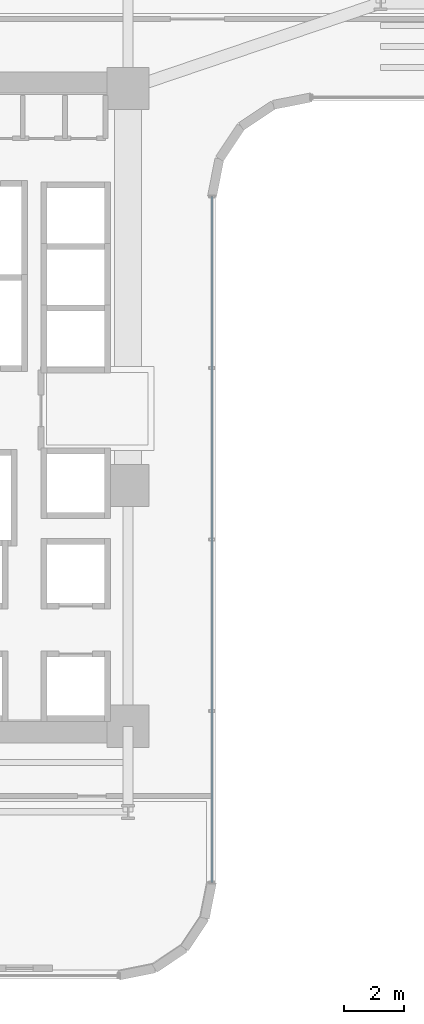
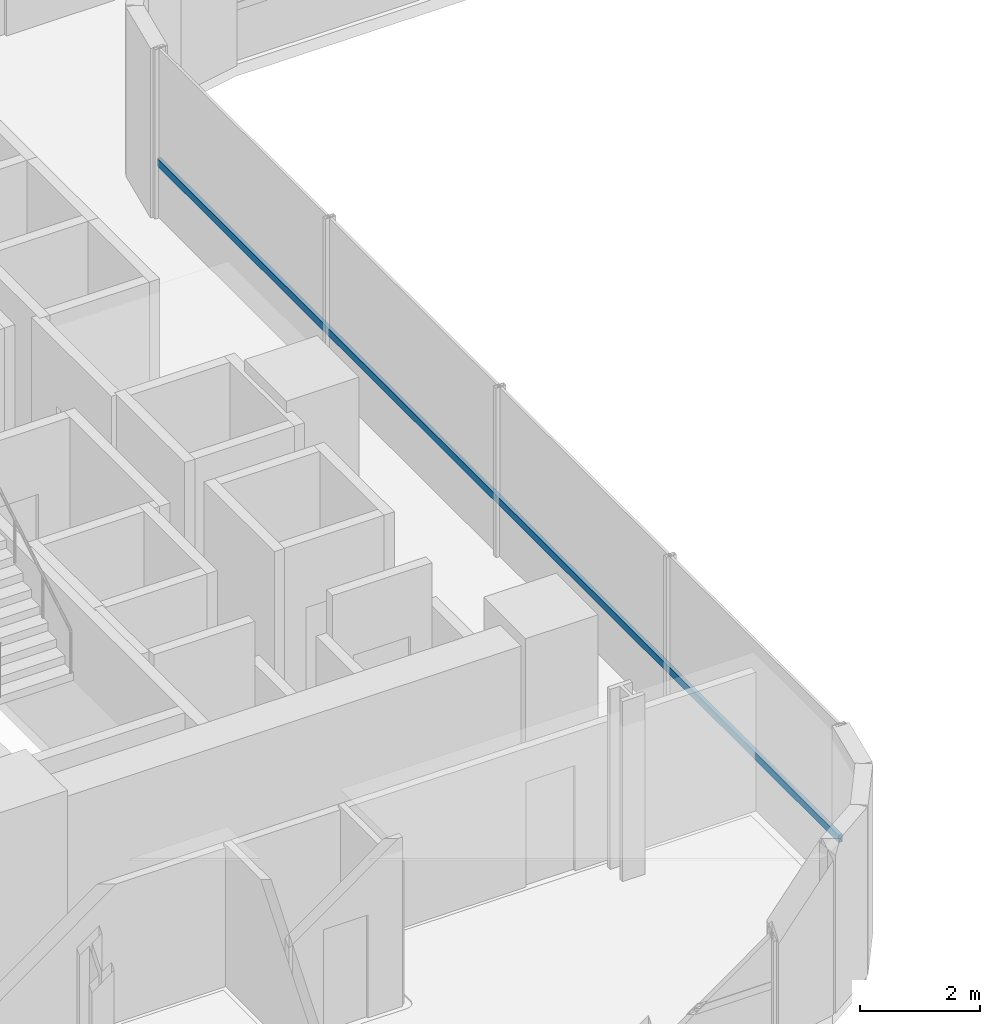
# One storey, part 7 of 41: 1 member, 1 element without a shape of its own.
"""IFC4 building model written with IfcOpenShell, lengths in metres."""

from ifc_helpers import new_model, si_unit, direction, frame, origin, origin_2d, place, context, subcontext, project, spatial, hollow_rectangle, extrude, source, transform, mapped, material, material_profile, profile_set, type_object, element, aggregate, save


model = new_model("IFC4")

# Units and contexts
model_context = context("Model", 3, precision=1e-05, world=origin(), true_north=direction((0.0, 1.0)))
body_context = subcontext(model_context, "Body", "Model", "MODEL_VIEW")
ifc_project = project(units=[si_unit("LENGTHUNIT", "METRE"), si_unit("AREAUNIT", "SQUARE_METRE"), si_unit("VOLUMEUNIT", "CUBIC_METRE"), si_unit("PLANEANGLEUNIT", "RADIAN"), si_unit("MASSUNIT", "GRAM", prefix="KILO")], contexts=[model_context])

# Site, building, storey
site_placement = place(None, origin())
site = spatial("IfcSite", under=ifc_project, at=site_placement, CompositionType="ELEMENT")
building_placement = place(site_placement, origin())
building = spatial("IfcBuilding", under=site, at=building_placement, Name="Valdorenza Pilgrim Sanctuary Tower", CompositionType="ELEMENT")
storey_placement = place(building_placement, frame((0.0, 0.0, 63.0)))
storey = spatial("IfcBuildingStorey", under=building, at=storey_placement, Name="L15", CompositionType="ELEMENT", Elevation=63.0)

# Curtain wall, member
ifc_material_1 = material(Name="Curtain-wall IGU glazing", Category="glass")
curtain_wall_type = type_object("IfcCurtainWallType", Name="CW-SYS-02", PredefinedType="NOTDEFINED", material=ifc_material_1)
curtain_wall_placement = place(storey_placement, origin())
curtain_wall = element("IfcCurtainWall", 1, at=curtain_wall_placement, inside=storey, type_object=curtain_wall_type, Name="L15 Curtain Wall CW-L15-1-41", PredefinedType="NOTDEFINED")
ifc_material_2 = material(Name="Anodised aluminium AW-6060", Category="aluminium")
ifc_material_profile = material_profile(ifc_material_2, hollow_rectangle(XDim=0.074951171875, YDim=0.14990234375, WallThickness=0.00390625, at=origin_2d()), Name="ALU-T 150x75x4")
ifc_profile_set = profile_set([ifc_material_profile], Name="Anodised aluminium AW-6060")
member_type = type_object("IfcMemberType", Name="CW-TRN-02", PredefinedType="USERDEFINED", material=ifc_profile_set)
shared_shape = source(origin(), body_context, "Body", "SweptSolid", [
    extrude(hollow_rectangle(XDim=0.074951171875, YDim=0.14990234375, WallThickness=0.00390625, at=origin_2d()), origin(), (0.0, 0.0, 1.0), 22.800048828125),
])
member_placement = place(storey_placement, frame((-9.610107421875, 7.0107421875, 1.1201171875), z_axis=(0.0, -1.0, 0.0), x_axis=(1.0, 0.0, 0.0)))
member = element("IfcMember", 2, at=member_placement, type_object=member_type, Name="CW-L15-1-41 Transom 1", ObjectType="TRANSOM", PredefinedType="USERDEFINED", context=body_context, shape_type="MappedRepresentation", body=[
    mapped(shared_shape, transform((0.0, 0.0, 0.0), x_axis=(1.0, 0.0, 0.0), y_axis=(0.0, 1.0, 0.0), z_axis=(0.0, 0.0, 1.0), scale=1.0)),
])
aggregate(curtain_wall, [member])

save(model, "model.ifc")
